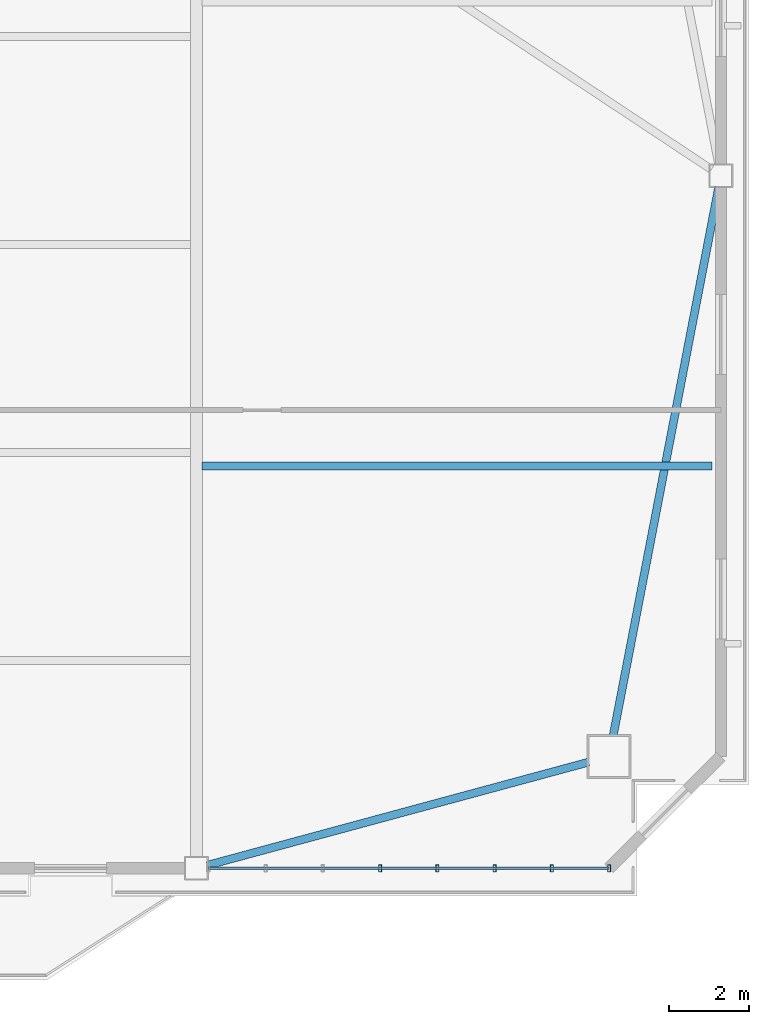
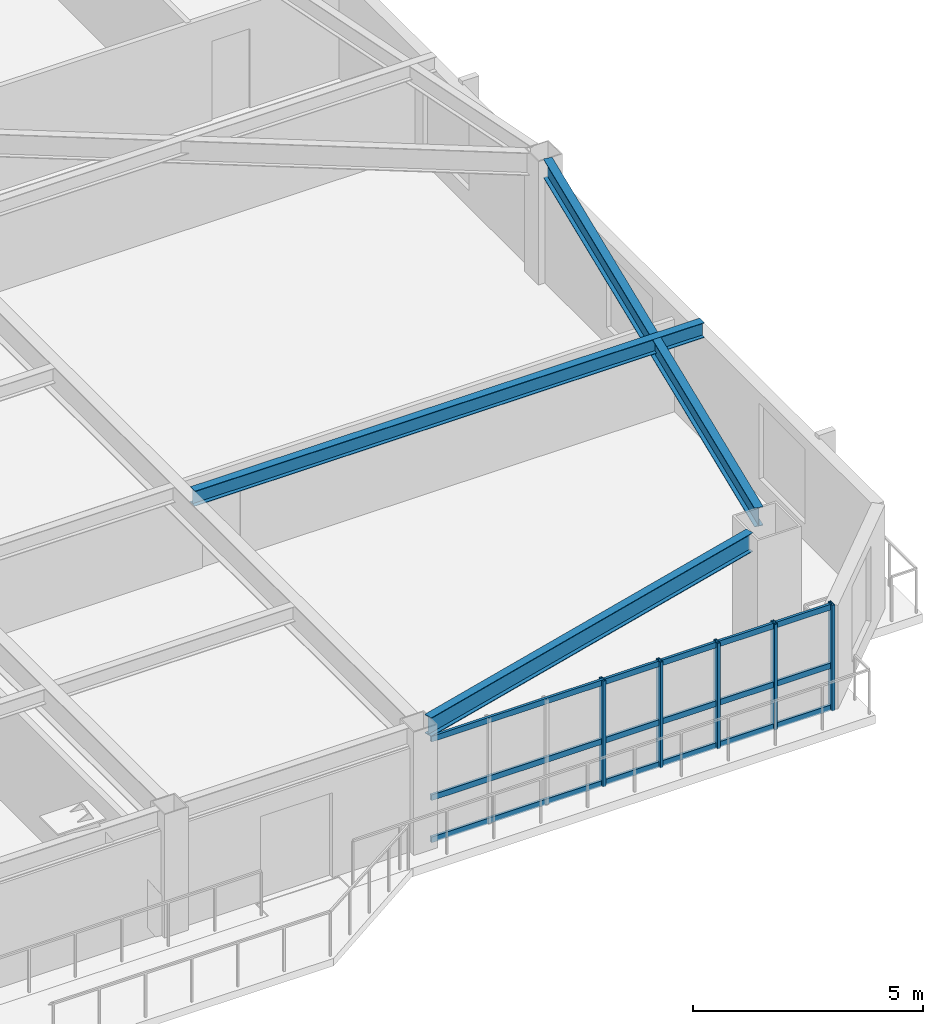
# One storey, part 6 of 17: 8 members, 3 beams, 1 element without a shape of its own.
"""IFC4 building model written with IfcOpenShell, lengths in metres."""

from ifc_helpers import new_model, si_unit, direction, frame, origin, origin_2d, place, context, subcontext, project, spatial, hollow_rectangle, i_section, extrude, source, transform, mapped, material, layer, layer_set, material_profile, profile_set, type_object, element, aggregate, save


model = new_model("IFC4")

# Units and contexts
model_context = context("Model", 3, precision=1e-05, world=origin(), true_north=direction((0.0, 1.0)))
body_context = subcontext(model_context, "Body", "Model", "MODEL_VIEW")
ifc_project = project(units=[si_unit("LENGTHUNIT", "METRE"), si_unit("AREAUNIT", "SQUARE_METRE"), si_unit("VOLUMEUNIT", "CUBIC_METRE"), si_unit("PLANEANGLEUNIT", "RADIAN"), si_unit("MASSUNIT", "GRAM", prefix="KILO")], contexts=[model_context])

# Site, building, storey
site_placement = place(None, origin())
site = spatial("IfcSite", under=ifc_project, at=site_placement, CompositionType="ELEMENT")
building_placement = place(site_placement, origin())
building = spatial("IfcBuilding", under=site, at=building_placement, Name="Giltprow Tower", CompositionType="ELEMENT")
storey_placement = place(building_placement, frame((0.0, 0.0, 202.699951171875)))
storey = spatial("IfcBuildingStorey", under=building, at=storey_placement, Name="L51", CompositionType="ELEMENT", Elevation=202.699951171875)

# Beams
ifc_material_1 = material(Name="Structural steel Q355B", Category="steel")
ifc_material_profile_1 = material_profile(ifc_material_1, i_section(OverallWidth=0.199951171875, OverallDepth=0.5, WebThickness=0.010009765625, FlangeThickness=0.01611328125, at=origin_2d()), Name="HN 500x200x10x16")
ifc_profile_set_1 = profile_set([ifc_material_profile_1], Name="Structural steel Q355B")
beam_type_1 = type_object("IfcBeamType", Name="BM-SPAN-HN500", PredefinedType="SPANDREL", material=ifc_profile_set_1)
shared_shape_1 = source(origin(), body_context, "Body", "SweptSolid", [
    extrude(i_section(OverallWidth=0.199951171875, OverallDepth=0.5, WebThickness=0.010009765625, FlangeThickness=0.01611328125, at=origin_2d()), origin(), (0.0, 0.0, 1.0), 9.90087890625),
])
beam_1_placement = place(storey_placement, frame((50.824951171875, 11.4599609375, 3.02001953125), z_axis=(0.965288823652, 0.261184775459, 0.0), x_axis=(-0.261184775459, 0.965288823652, 0.0)))
element("IfcBeam", 1, at=beam_1_placement, inside=storey, type_object=beam_type_1, Name="L51 Perimeter Spandrel Beam S4-MC_SE", PredefinedType="SPANDREL", context=body_context, shape_type="MappedRepresentation", body=[
    mapped(shared_shape_1, transform((0.0, 0.0, 0.0), x_axis=(1.0, 0.0, 0.0), y_axis=(0.0, 1.0, 0.0), z_axis=(0.0, 0.0, 1.0), scale=1.0)),
])
shared_shape_2 = source(origin(), body_context, "Body", "SweptSolid", [
    extrude(i_section(OverallWidth=0.199951171875, OverallDepth=0.5, WebThickness=0.010009765625, FlangeThickness=0.01611328125, at=origin_2d()), origin(), (0.0, 0.0, 1.0), 14.00390625),
])
beam_2_placement = place(storey_placement, frame((60.9990234375, 14.7109375, 3.02001953125), z_axis=(0.188875844444, 0.982000975247, 0.0), x_axis=(-0.982000975247, 0.188875844444, 0.0)))
element("IfcBeam", 2, at=beam_2_placement, inside=storey, type_object=beam_type_1, Name="L51 Perimeter Spandrel Beam MC_SE-E_MID", PredefinedType="SPANDREL", context=body_context, shape_type="MappedRepresentation", body=[
    mapped(shared_shape_2, transform((0.0, 0.0, 0.0), x_axis=(1.0, 0.0, 0.0), y_axis=(0.0, 1.0, 0.0), z_axis=(0.0, 0.0, 1.0), scale=1.0)),
])
ifc_material_profile_2 = material_profile(ifc_material_1, i_section(OverallWidth=0.199951171875, OverallDepth=0.39990234375, WebThickness=0.008056640625, FlangeThickness=0.012939453125, at=origin_2d()), Name="HN 400x200x8x13")
ifc_profile_set_2 = profile_set([ifc_material_profile_2], Name="Structural steel Q355B")
beam_type_2 = type_object("IfcBeamType", Name="BM-JOIST-HN400", PredefinedType="JOIST", material=ifc_profile_set_2)
shared_shape_3 = source(origin(), body_context, "Body", "SweptSolid", [
    extrude(i_section(OverallWidth=0.199951171875, OverallDepth=0.39990234375, WebThickness=0.008056640625, FlangeThickness=0.012939453125, at=origin_2d()), origin(), (0.0, 0.0, 1.0), 12.782958984375),
])
beam_3_placement = place(storey_placement, frame((50.695068359375, 21.465087890625, 3.070068359375), z_axis=(1.0, 0.0, 0.0), x_axis=(0.0, 1.0, 0.0)))
element("IfcBeam", 3, at=beam_3_placement, inside=storey, type_object=beam_type_2, Name="L51 East Wing Floor Joist 1", PredefinedType="JOIST", context=body_context, shape_type="MappedRepresentation", body=[
    mapped(shared_shape_3, transform((0.0, 0.0, 0.0), x_axis=(1.0, 0.0, 0.0), y_axis=(0.0, 1.0, 0.0), z_axis=(0.0, 0.0, 1.0), scale=1.0)),
])

# Curtain wall, members
ifc_material_2 = material(Name="Anodized bronze", Category="metal")
ifc_layer = layer(ifc_material_2, 0.179931640625, Name="Anodized bronze")
ifc_layer_set = layer_set([ifc_layer], Name="Anodized bronze")
curtain_wall_type = type_object("IfcCurtainWallType", Name="CW-HTL-BRONZE", PredefinedType="NOTDEFINED", material=ifc_layer_set)
curtain_wall_placement = place(storey_placement, origin())
curtain_wall = element("IfcCurtainWall", 4, at=curtain_wall_placement, inside=storey, type_object=curtain_wall_type, Name="L51 South Recessed Curtain Wall 6", PredefinedType="NOTDEFINED")
ifc_material_profile_3 = material_profile(ifc_material_2, hollow_rectangle(XDim=0.074951171875, YDim=0.179931640625, WallThickness=0.008056640625, at=origin_2d()), Name="RHS 180x75x8")
ifc_profile_set_3 = profile_set([ifc_material_profile_3], Name="Anodized bronze")
member_type_1 = type_object("IfcMemberType", Name="CW-MULLION-180x75", PredefinedType="MULLION", material=ifc_profile_set_3)
shared_shape_4 = source(origin(), body_context, "Body", "SweptSolid", [
    extrude(hollow_rectangle(XDim=0.074951171875, YDim=0.179931640625, WallThickness=0.008056640625, at=origin_2d()), origin(), (0.0, 0.0, 1.0), 2.80517578125),
])
member_1_placement = place(storey_placement, frame((55.156005859375, 11.385986328125, -0.02001953125), z_axis=(0.0, 0.0, 1.0), x_axis=(1.0, 0.0, 0.0)))
member_1 = element("IfcMember", 5, at=member_1_placement, type_object=member_type_1, Name="L51 South Recessed Curtain Wall 6 Mullion 4", PredefinedType="MULLION", context=body_context, shape_type="MappedRepresentation", body=[
    mapped(shared_shape_4, transform((0.0, 0.0, 0.0), x_axis=(1.0, 0.0, 0.0), y_axis=(0.0, 1.0, 0.0), z_axis=(0.0, 0.0, 1.0), scale=1.0)),
])
member_2_placement = place(storey_placement, frame((56.592041015625, 11.385986328125, -0.02001953125), z_axis=(0.0, 0.0, 1.0), x_axis=(1.0, 0.0, 0.0)))
member_2 = element("IfcMember", 6, at=member_2_placement, type_object=member_type_1, Name="L51 South Recessed Curtain Wall 6 Mullion 5", PredefinedType="MULLION", context=body_context, shape_type="MappedRepresentation", body=[
    mapped(shared_shape_4, transform((0.0, 0.0, 0.0), x_axis=(1.0, 0.0, 0.0), y_axis=(0.0, 1.0, 0.0), z_axis=(0.0, 0.0, 1.0), scale=1.0)),
])
member_3_placement = place(storey_placement, frame((58.027099609375, 11.385986328125, -0.02001953125), z_axis=(0.0, 0.0, 1.0), x_axis=(1.0, 0.0, 0.0)))
member_3 = element("IfcMember", 7, at=member_3_placement, type_object=member_type_1, Name="L51 South Recessed Curtain Wall 6 Mullion 6", PredefinedType="MULLION", context=body_context, shape_type="MappedRepresentation", body=[
    mapped(shared_shape_4, transform((0.0, 0.0, 0.0), x_axis=(1.0, 0.0, 0.0), y_axis=(0.0, 1.0, 0.0), z_axis=(0.0, 0.0, 1.0), scale=1.0)),
])
member_4_placement = place(storey_placement, frame((59.462890625, 11.385986328125, -0.02001953125), z_axis=(0.0, 0.0, 1.0), x_axis=(1.0, 0.0, 0.0)))
member_4 = element("IfcMember", 8, at=member_4_placement, type_object=member_type_1, Name="L51 South Recessed Curtain Wall 6 Mullion 7", PredefinedType="MULLION", context=body_context, shape_type="MappedRepresentation", body=[
    mapped(shared_shape_4, transform((0.0, 0.0, 0.0), x_axis=(1.0, 0.0, 0.0), y_axis=(0.0, 1.0, 0.0), z_axis=(0.0, 0.0, 1.0), scale=1.0)),
])
member_5_placement = place(storey_placement, frame((60.89794921875, 11.385986328125, -0.02001953125), z_axis=(0.0, 0.0, 1.0), x_axis=(1.0, 0.0, 0.0)))
member_5 = element("IfcMember", 9, at=member_5_placement, type_object=member_type_1, Name="L51 South Recessed Curtain Wall 6 Mullion 8", PredefinedType="MULLION", context=body_context, shape_type="MappedRepresentation", body=[
    mapped(shared_shape_4, transform((0.0, 0.0, 0.0), x_axis=(1.0, 0.0, 0.0), y_axis=(0.0, 1.0, 0.0), z_axis=(0.0, 0.0, 1.0), scale=1.0)),
])
ifc_material_profile_4 = material_profile(ifc_material_2, hollow_rectangle(XDim=0.06494140625, YDim=0.14990234375, WallThickness=0.006103515625, at=origin_2d()), Name="RHS 150x65x6")
ifc_profile_set_4 = profile_set([ifc_material_profile_4], Name="Anodized bronze")
member_type_2 = type_object("IfcMemberType", Name="CW-TRANSOM-150x65", PredefinedType="USERDEFINED", material=ifc_profile_set_4)
shared_shape_5 = source(origin(), body_context, "Body", "SweptSolid", [
    extrude(hollow_rectangle(XDim=0.06494140625, YDim=0.14990234375, WallThickness=0.006103515625, at=origin_2d()), origin(), (0.0, 0.0, 1.0), 10.0478515625),
])
member_6_placement = place(storey_placement, frame((50.85009765625, 11.385986328125, 0.0400390625), z_axis=(1.0, 0.0, 0.0), x_axis=(0.0, 1.0, 0.0)))
member_6 = element("IfcMember", 10, at=member_6_placement, type_object=member_type_2, Name="L51 South Recessed Curtain Wall 6 Transom 1", ObjectType="TRANSOM", PredefinedType="USERDEFINED", context=body_context, shape_type="MappedRepresentation", body=[
    mapped(shared_shape_5, transform((0.0, 0.0, 0.0), x_axis=(1.0, 0.0, 0.0), y_axis=(0.0, 1.0, 0.0), z_axis=(0.0, 0.0, 1.0), scale=1.0)),
])
member_7_placement = place(storey_placement, frame((50.85009765625, 11.385986328125, 1.155029296875), z_axis=(1.0, 0.0, 0.0), x_axis=(0.0, 1.0, 0.0)))
member_7 = element("IfcMember", 11, at=member_7_placement, type_object=member_type_2, Name="L51 South Recessed Curtain Wall 6 Transom 2", ObjectType="TRANSOM", PredefinedType="USERDEFINED", context=body_context, shape_type="MappedRepresentation", body=[
    mapped(shared_shape_5, transform((0.0, 0.0, 0.0), x_axis=(1.0, 0.0, 0.0), y_axis=(0.0, 1.0, 0.0), z_axis=(0.0, 0.0, 1.0), scale=1.0)),
])
member_8_placement = place(storey_placement, frame((50.85009765625, 11.385986328125, 2.7099609375), z_axis=(1.0, 0.0, 0.0), x_axis=(0.0, 1.0, 0.0)))
member_8 = element("IfcMember", 12, at=member_8_placement, type_object=member_type_2, Name="L51 South Recessed Curtain Wall 6 Transom 3", ObjectType="TRANSOM", PredefinedType="USERDEFINED", context=body_context, shape_type="MappedRepresentation", body=[
    mapped(shared_shape_5, transform((0.0, 0.0, 0.0), x_axis=(1.0, 0.0, 0.0), y_axis=(0.0, 1.0, 0.0), z_axis=(0.0, 0.0, 1.0), scale=1.0)),
])
aggregate(curtain_wall, [member_1, member_2, member_3, member_4, member_5, member_6, member_7, member_8])

save(model, "model.ifc")
